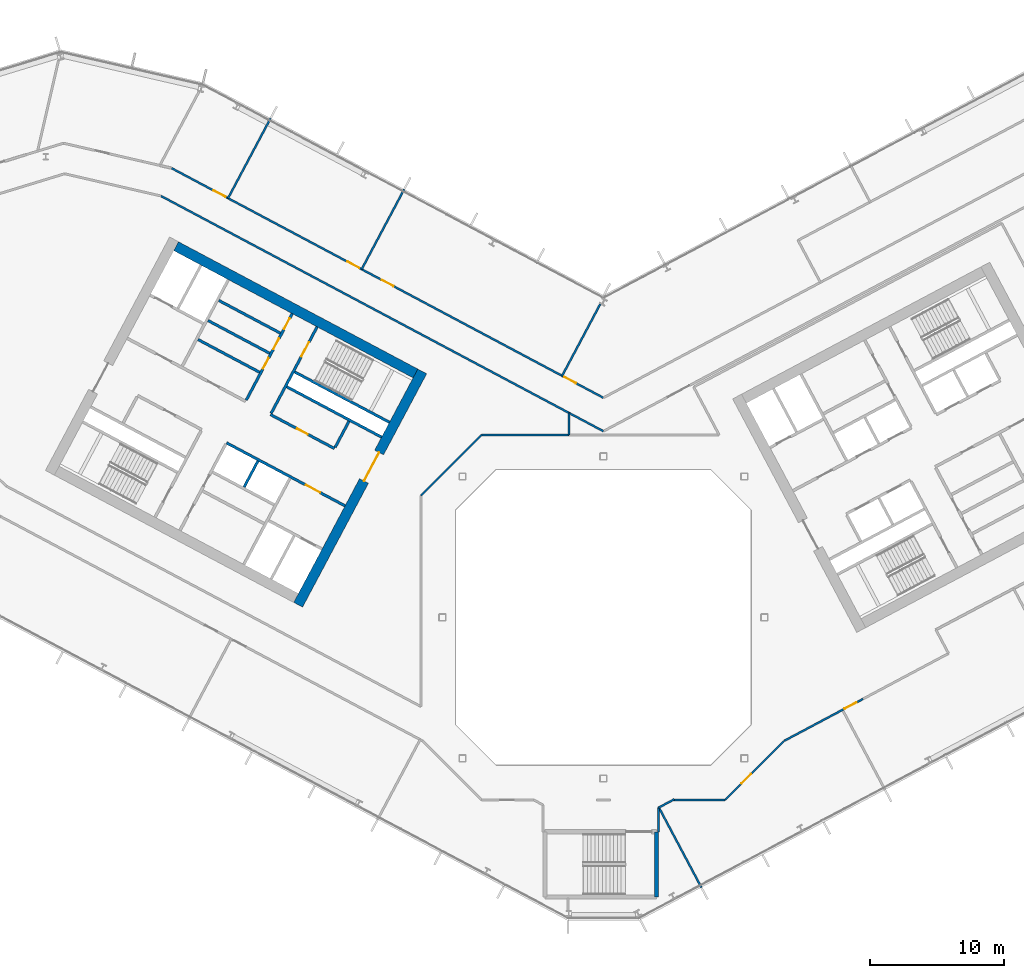
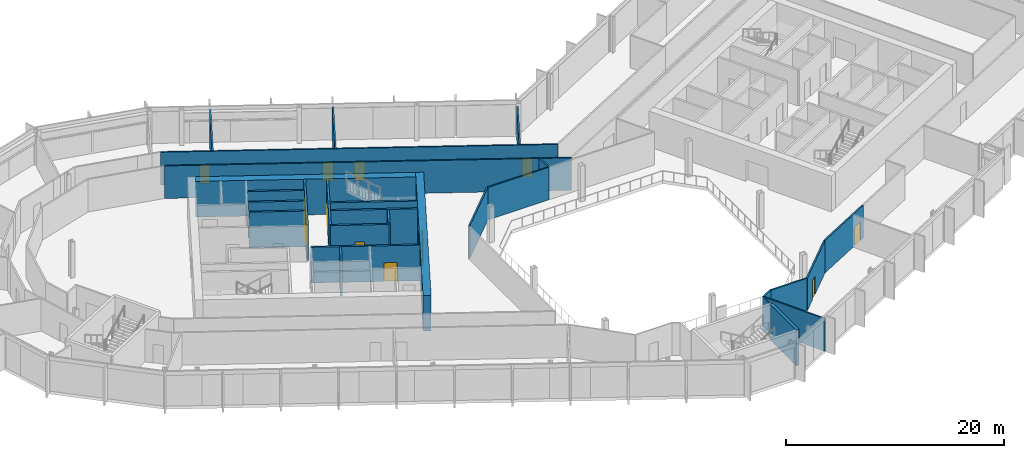
# One storey, part 15 of 28: 29 walls, 13 doors, 13 openings.
"""IFC4 building model written with IfcOpenShell, lengths in metres."""

from ifc_helpers import new_model, si_unit, direction, frame, frame_2d, origin, place, context, subcontext, project, spatial, rectangle, extrude, material, layer, layer_set, type_object, element, fill, save


model = new_model("IFC4")

# Units and contexts
model_context = context("Model", 3, precision=1e-05, world=origin(), true_north=direction((0.0, 1.0)))
body_context = subcontext(model_context, "Body", "Model", "MODEL_VIEW")
ifc_project = project(units=[si_unit("LENGTHUNIT", "METRE"), si_unit("AREAUNIT", "SQUARE_METRE"), si_unit("VOLUMEUNIT", "CUBIC_METRE"), si_unit("PLANEANGLEUNIT", "RADIAN"), si_unit("MASSUNIT", "GRAM", prefix="KILO")], contexts=[model_context])

# Site, building, storey
site_placement = place(None, origin())
site = spatial("IfcSite", under=ifc_project, at=site_placement, CompositionType="ELEMENT")
building_placement = place(site_placement, origin())
building = spatial("IfcBuilding", under=site, at=building_placement, Name="Cormorant Relay Tower", CompositionType="ELEMENT")
storey_placement = place(building_placement, frame((0.0, 0.0, 162.199951171875)))
storey = spatial("IfcBuildingStorey", under=building, at=storey_placement, Name="L34", CompositionType="ELEMENT", Elevation=162.199951171875)

# Walls
ifc_material_1 = material(Name="Concrete 40 MPa", Category="concrete")
ifc_layer_1 = layer(ifc_material_1, 0.199951171875)
ifc_layer_set_1 = layer_set([ifc_layer_1], Name="Core internal wall 200")
wall_type_1 = type_object("IfcWallType", Name="Core internal wall 200", PredefinedType="SOLIDWALL", material=ifc_layer_set_1)
wall_1_placement = place(storey_placement, frame((-25.744140625, 11.64990234375, 0.0), z_axis=(0.0, 0.0, 1.0), x_axis=(-0.469487830541, -0.882938942948, 0.0)))
element("IfcWall", 1, at=wall_1_placement, inside=storey, type_object=wall_type_1, Name="L34 core A shaft and room wall", PredefinedType="SOLIDWALL", context=body_context, shape_type="SweptSolid", body=[
    extrude(rectangle(XDim=2.2001953125, YDim=0.199951171875, at=frame_2d((1.10009765625, 0.0))), origin(), (0.0, 0.0, 1.0), 4.0),
])
for number, where, z_axis, x_axis, name in (
    (2, (-24.073974609375, 21.181396484375, 0.0), (0.0, 0.0, 1.0), (-0.882953967957, 0.469459572775, 0.0), "L34 core A shaft and room wall"),
    (3, (-24.8720703125, 19.680419921875, 0.0), (0.0, 0.0, 1.0), (-0.882953967957, 0.469459572775, 0.0), "L34 core A shaft and room wall"),
):
    element("IfcWall", number, at=place(storey_placement, frame(where, z_axis=z_axis, x_axis=x_axis)), inside=storey, type_object=wall_type_1, Name=name, PredefinedType="SOLIDWALL", context=body_context, shape_type="SweptSolid", body=[
        extrude(rectangle(XDim=5.199951171875, YDim=0.199951171875, at=frame_2d((2.60009765625, 0.0))), origin(), (0.0, 0.0, 1.0), 4.0),
    ])
ifc_material_2 = material(Name="Concrete 50 MPa", Category="concrete")
ifc_layer_2 = layer(ifc_material_2, 0.199951171875)
ifc_layer_set_2 = layer_set([ifc_layer_2], Name="Core shaft wall 200")
wall_type_2 = type_object("IfcWallType", Name="Core shaft wall 200", PredefinedType="SHEAR", material=ifc_layer_set_2)
wall_2_placement = place(storey_placement, frame((-18.959716796875, 14.611328125, 0.0), z_axis=(0.0, 0.0, 1.0), x_axis=(-0.4694473164, -0.882960484464, 0.0)))
element("IfcWall", 4, at=wall_2_placement, inside=storey, type_object=wall_type_2, Name="L34 core A shaft wall", PredefinedType="SHEAR", context=body_context, shape_type="SweptSolid", body=[
    extrude(rectangle(XDim=2.199951171875, YDim=0.199951171875, at=frame_2d((1.10009765625, 0.0))), origin(), (0.0, 0.0, 1.0), 4.0),
])

# Wall, opening, door
wall_3_placement = place(storey_placement, frame((-21.333251953125, 21.6494140625, 0.0), z_axis=(0.0, 0.0, 1.0), x_axis=(-0.469494272526, -0.882935517501, 0.0)))
wall_3 = element("IfcWall", 5, at=wall_3_placement, inside=storey, type_object=wall_type_2, Name="L34 core A shaft wall", PredefinedType="SHEAR", context=body_context, shape_type="SweptSolid", body=[
    extrude(rectangle(XDim=7.2998046875, YDim=0.199951171875, at=frame_2d((3.64990234375, 0.0))), origin(), (0.0, 0.0, 1.0), 4.0),
])
opening_1_placement = place(wall_3_placement, frame((1.300048828125, 0.0, 0.0)))
opening_1 = element("IfcOpeningElement", 6, at=opening_1_placement, cuts=wall_3, Name="Opening CDB-034", PredefinedType="OPENING", context=body_context, shape_type="SweptSolid", body=[
    extrude(rectangle(XDim=1.199951171875, YDim=2.10009765625, at=frame_2d((0.60009765625, 1.050048828125))), frame((0.0, 0.10986328125, 0.0), z_axis=(0.0, -1.0, 0.0), x_axis=(1.0, 0.0, 0.0)), (0.0, 0.0, 1.0), 0.219970703125),
])
ifc_material_3 = material(Name="Steel fire door", Category="steel")
door_type_1 = type_object("IfcDoorType", Name="Core stair door 1200x2100", OperationType="SINGLE_SWING_LEFT", PredefinedType="DOOR", material=ifc_material_3)
door_1_placement = place(opening_1_placement, origin())
door_1 = element("IfcDoor", 7, at=door_1_placement, inside=storey, type_object=door_type_1, Name="Core stair door 1200x2100", OperationType="SINGLE_SWING_RIGHT", OverallHeight=2.10009765625, OverallWidth=1.199951171875, PredefinedType="DOOR", context=body_context, shape_type="SweptSolid", body=[
    extrude(rectangle(XDim=1.199951171875, YDim=2.10009765625, at=frame_2d((0.60009765625, 1.050048828125))), frame((0.0, 0.02490234375, 0.0), z_axis=(0.0, -1.0, 0.0), x_axis=(1.0, 0.0, 0.0)), (0.0, 0.0, 1.0), 0.050048828125),
])
fill(opening_1, door_1)

# Wall, openings, doors
wall_4_placement = place(storey_placement, frame((-23.1875, 22.635498046875, 0.0), z_axis=(0.0, 0.0, 1.0), x_axis=(-0.469454336211, -0.882956752176, 0.0)))
wall_4 = element("IfcWall", 8, at=wall_4_placement, inside=storey, type_object=wall_type_2, Name="L34 core A shaft wall", PredefinedType="SHEAR", context=body_context, shape_type="SweptSolid", body=[
    extrude(rectangle(XDim=7.300048828125, YDim=0.199951171875, at=frame_2d((3.64990234375, 0.0))), origin(), (0.0, 0.0, 1.0), 4.0),
])
opening_2_placement = place(wall_4_placement, frame((0.39990234375, 0.0, 0.0)))
opening_2 = element("IfcOpeningElement", 9, at=opening_2_placement, cuts=wall_4, Name="Opening CDD-174", PredefinedType="OPENING", context=body_context, shape_type="SweptSolid", body=[
    extrude(rectangle(XDim=0.89990234375, YDim=2.10009765625, at=frame_2d((0.449951171875, 1.050048828125))), frame((0.0, 0.10986328125, 0.0), z_axis=(0.0, -1.0, 0.0), x_axis=(1.0, 0.0, 0.0)), (0.0, 0.0, 1.0), 0.219970703125),
])
opening_3_placement = place(wall_4_placement, frame((2.10009765625, 0.0, 0.0)))
opening_3 = element("IfcOpeningElement", 10, at=opening_3_placement, cuts=wall_4, Name="Opening CDD-175", PredefinedType="OPENING", context=body_context, shape_type="SweptSolid", body=[
    extrude(rectangle(XDim=0.89990234375, YDim=2.10009765625, at=frame_2d((0.449951171875, 1.050048828125))), frame((0.0, 0.10986328125, 0.0), z_axis=(0.0, -1.0, 0.0), x_axis=(1.0, 0.0, 0.0)), (0.0, 0.0, 1.0), 0.219970703125),
])
opening_4_placement = place(wall_4_placement, frame((3.75, 0.0, 0.0)))
opening_4 = element("IfcOpeningElement", 11, at=opening_4_placement, cuts=wall_4, Name="Opening CDD-176", PredefinedType="OPENING", context=body_context, shape_type="SweptSolid", body=[
    extrude(rectangle(XDim=0.89990234375, YDim=2.10009765625, at=frame_2d((0.449951171875, 1.050048828125))), frame((0.0, 0.10986328125, 0.0), z_axis=(0.0, -1.0, 0.0), x_axis=(1.0, 0.0, 0.0)), (0.0, 0.0, 1.0), 0.219970703125),
])
ifc_material_4 = material(Name="Steel fire door", Category="steel")
door_type_2 = type_object("IfcDoorType", Name="Core room door 900x2100", OperationType="SINGLE_SWING_LEFT", PredefinedType="DOOR", material=ifc_material_4)
door_2_placement = place(opening_2_placement, origin())
door_2 = element("IfcDoor", 12, at=door_2_placement, inside=storey, type_object=door_type_2, Name="Core room door 900x2100", OperationType="SINGLE_SWING_LEFT", OverallHeight=2.10009765625, OverallWidth=0.89990234375, PredefinedType="DOOR", context=body_context, shape_type="SweptSolid", body=[
    extrude(rectangle(XDim=0.89990234375, YDim=2.10009765625, at=frame_2d((0.449951171875, 1.050048828125))), frame((0.0, 0.02490234375, 0.0), z_axis=(0.0, -1.0, 0.0), x_axis=(1.0, 0.0, 0.0)), (0.0, 0.0, 1.0), 0.050048828125),
])
fill(opening_2, door_2)
door_3_placement = place(opening_3_placement, origin())
door_3 = element("IfcDoor", 13, at=door_3_placement, inside=storey, type_object=door_type_2, Name="Core room door 900x2100", OperationType="SINGLE_SWING_LEFT", OverallHeight=2.10009765625, OverallWidth=0.89990234375, PredefinedType="DOOR", context=body_context, shape_type="SweptSolid", body=[
    extrude(rectangle(XDim=0.89990234375, YDim=2.10009765625, at=frame_2d((0.449951171875, 1.050048828125))), frame((0.0, 0.02490234375, 0.0), z_axis=(0.0, -1.0, 0.0), x_axis=(1.0, 0.0, 0.0)), (0.0, 0.0, 1.0), 0.050048828125),
])
fill(opening_3, door_3)
door_4_placement = place(opening_4_placement, origin())
door_4 = element("IfcDoor", 14, at=door_4_placement, inside=storey, type_object=door_type_2, Name="Core room door 900x2100", OperationType="SINGLE_SWING_LEFT", OverallHeight=2.10009765625, OverallWidth=0.89990234375, PredefinedType="DOOR", context=body_context, shape_type="SweptSolid", body=[
    extrude(rectangle(XDim=0.89990234375, YDim=2.10009765625, at=frame_2d((0.449951171875, 1.050048828125))), frame((0.0, 0.02490234375, 0.0), z_axis=(0.0, -1.0, 0.0), x_axis=(1.0, 0.0, 0.0)), (0.0, 0.0, 1.0), 0.050048828125),
])
fill(opening_4, door_4)

# Walls
wall_5_placement = place(storey_placement, frame((-15.94189453125, 14.53564453125, 0.0), z_axis=(0.0, 0.0, 1.0), x_axis=(-0.882946947542, 0.469472776449, 0.0)))
element("IfcWall", 15, at=wall_5_placement, inside=storey, type_object=wall_type_2, Name="L34 core A shaft wall", PredefinedType="SHEAR", context=body_context, shape_type="SweptSolid", body=[
    extrude(rectangle(XDim=8.000244140625, YDim=0.199951171875, at=frame_2d((4.0, 0.0))), origin(), (0.0, 0.0, 1.0), 4.0),
])
wall_6_placement = place(storey_placement, frame((-16.52880859375, 13.43212890625, 0.0), z_axis=(0.0, 0.0, 1.0), x_axis=(-0.88295287151, 0.469461634952, 0.0)))
element("IfcWall", 16, at=wall_6_placement, inside=storey, type_object=wall_type_2, Name="L34 core A shaft wall", PredefinedType="SHEAR", context=body_context, shape_type="SweptSolid", body=[
    extrude(rectangle(XDim=7.999755859375, YDim=0.199951171875, at=frame_2d((4.0, 0.0))), origin(), (0.0, 0.0, 1.0), 4.0),
])
wall_7_placement = place(storey_placement, frame((-25.623046875, 18.267578125, 0.0), z_axis=(0.0, 0.0, 1.0), x_axis=(-0.882953967957, 0.469459572775, 0.0)))
element("IfcWall", 17, at=wall_7_placement, inside=storey, type_object=wall_type_2, Name="L34 core A shaft wall", PredefinedType="SHEAR", context=body_context, shape_type="SweptSolid", body=[
    extrude(rectangle(XDim=5.199951171875, YDim=0.199951171875, at=frame_2d((2.60009765625, 0.0))), origin(), (0.0, 0.0, 1.0), 4.0),
])

# Wall, opening, door
wall_8_placement = place(storey_placement, frame((-20.03955078125, 12.58056640625, 0.0), z_axis=(0.0, 0.0, 1.0), x_axis=(-0.882942972946, 0.469480251476, 0.0)))
wall_8 = element("IfcWall", 18, at=wall_8_placement, inside=storey, type_object=wall_type_2, Name="L34 core A shaft wall", PredefinedType="SHEAR", context=body_context, shape_type="SweptSolid", body=[
    extrude(rectangle(XDim=5.39990234375, YDim=0.199951171875, at=frame_2d((2.699951171875, 0.0))), origin(), (0.0, 0.0, 1.0), 4.0),
])
opening_5_placement = place(wall_8_placement, frame((2.25, 0.0, 0.0)))
opening_5 = element("IfcOpeningElement", 19, at=opening_5_placement, cuts=wall_8, Name="Opening CDD-206", PredefinedType="OPENING", context=body_context, shape_type="SweptSolid", body=[
    extrude(rectangle(XDim=0.89990234375, YDim=2.10009765625, at=frame_2d((0.449951171875, 1.050048828125))), frame((0.0, 0.10986328125, 0.0), z_axis=(0.0, -1.0, 0.0), x_axis=(1.0, 0.0, 0.0)), (0.0, 0.0, 1.0), 0.219970703125),
])
door_5_placement = place(opening_5_placement, origin())
door_5 = element("IfcDoor", 20, at=door_5_placement, inside=storey, type_object=door_type_2, Name="Core room door 900x2100", OperationType="SINGLE_SWING_LEFT", OverallHeight=2.10009765625, OverallWidth=0.89990234375, PredefinedType="DOOR", context=body_context, shape_type="SweptSolid", body=[
    extrude(rectangle(XDim=0.89990234375, YDim=2.10009765625, at=frame_2d((0.449951171875, 1.050048828125))), frame((0.0, 0.02490234375, 0.0), z_axis=(0.0, -1.0, 0.0), x_axis=(1.0, 0.0, 0.0)), (0.0, 0.0, 1.0), 0.050048828125),
])
fill(opening_5, door_5)

wall_9_placement = place(storey_placement, frame((-19.251708984375, 8.31103515625, 0.0), z_axis=(0.0, 0.0, 1.0), x_axis=(-0.882955722218, 0.469456273365, 0.0)))
wall_9 = element("IfcWall", 21, at=wall_9_placement, inside=storey, type_object=wall_type_2, Name="L34 core A shaft wall", PredefinedType="SHEAR", context=body_context, shape_type="SweptSolid", body=[
    extrude(rectangle(XDim=10.0, YDim=0.199951171875, at=frame_2d((5.0, 0.0))), origin(), (0.0, 0.0, 1.0), 4.0),
])
opening_6_placement = place(wall_9_placement, frame((2.10009765625, 0.0, 0.0)))
opening_6 = element("IfcOpeningElement", 22, at=opening_6_placement, cuts=wall_9, Name="Opening CDC-025", PredefinedType="OPENING", context=body_context, shape_type="SweptSolid", body=[
    extrude(rectangle(XDim=1.199951171875, YDim=2.10009765625, at=frame_2d((0.60009765625, 1.050048828125))), frame((0.0, 0.10986328125, 0.0), z_axis=(0.0, -1.0, 0.0), x_axis=(1.0, 0.0, 0.0)), (0.0, 0.0, 1.0), 0.219970703125),
])
ifc_material_5 = material(Name="Steel fire door", Category="steel")
door_type_3 = type_object("IfcDoorType", Name="Core lobby door 1200x2100", OperationType="SINGLE_SWING_LEFT", PredefinedType="DOOR", material=ifc_material_5)
door_6_placement = place(opening_6_placement, origin())
door_6 = element("IfcDoor", 23, at=door_6_placement, inside=storey, type_object=door_type_3, Name="Core lobby door 1200x2100", OperationType="SINGLE_SWING_RIGHT", OverallHeight=2.10009765625, OverallWidth=1.199951171875, PredefinedType="DOOR", context=body_context, shape_type="SweptSolid", body=[
    extrude(rectangle(XDim=1.199951171875, YDim=2.10009765625, at=frame_2d((0.60009765625, 1.050048828125))), frame((0.0, 0.02490234375, 0.0), z_axis=(0.0, -1.0, 0.0), x_axis=(1.0, 0.0, 0.0)), (0.0, 0.0, 1.0), 0.050048828125),
])
fill(opening_6, door_6)

ifc_material_6 = material(Name="Concrete 60 MPa", Category="concrete")
ifc_layer_3 = layer(ifc_material_6, 0.75)
ifc_layer_set_3 = layer_set([ifc_layer_3], Name="Core wall 750")
wall_type_3 = type_object("IfcWallType", Name="Core wall 750", PredefinedType="SHEAR", material=ifc_layer_set_3)
wall_10_placement = place(storey_placement, frame((-13.498291015625, 18.3330078125, 0.0), z_axis=(0.0, 0.0, 1.0), x_axis=(-0.469469918705, -0.88294846703, 0.0)))
wall_10 = element("IfcWall", 24, at=wall_10_placement, inside=storey, type_object=wall_type_3, Name="L34 core A wall", PredefinedType="SHEAR", context=body_context, shape_type="SweptSolid", body=[
    extrude(rectangle(XDim=19.699951171875, YDim=0.75, at=frame_2d((9.85009765625, 0.0))), origin(), (0.0, 0.0, 1.0), 4.0),
])
opening_7_placement = place(wall_10_placement, frame((6.85009765625, 0.0, 0.0)))
opening_7 = element("IfcOpeningElement", 25, at=opening_7_placement, cuts=wall_10, Name="Opening CDA-026", PredefinedType="OPENING", context=body_context, shape_type="SweptSolid", body=[
    extrude(rectangle(XDim=2.39990234375, YDim=2.39990234375, at=frame_2d((1.199951171875, 1.199951171875))), frame((0.0, 0.385009765625, 0.0), z_axis=(0.0, -1.0, 0.0), x_axis=(1.0, 0.0, 0.0)), (0.0, 0.0, 1.0), 0.77001953125),
])
ifc_material_7 = material(Name="Steel fire door", Category="steel")
door_type_4 = type_object("IfcDoorType", Name="Core lobby door 2400x2400", OperationType="DOUBLE_DOOR_SINGLE_SWING", PredefinedType="DOOR", material=ifc_material_7)
door_7_placement = place(opening_7_placement, origin())
door_7 = element("IfcDoor", 26, at=door_7_placement, inside=storey, type_object=door_type_4, Name="Core lobby door 2400x2400", OperationType="DOUBLE_DOOR_SINGLE_SWING", OverallHeight=2.39990234375, OverallWidth=2.39990234375, PredefinedType="DOOR", context=body_context, shape_type="SweptSolid", body=[
    extrude(rectangle(XDim=2.39990234375, YDim=2.39990234375, at=frame_2d((1.199951171875, 1.199951171875))), frame((0.0, 0.02490234375, 0.0), z_axis=(0.0, -1.0, 0.0), x_axis=(1.0, 0.0, 0.0)), (0.0, 0.0, 1.0), 0.050048828125),
])
fill(opening_7, door_7)

# Walls
wall_11_placement = place(storey_placement, frame((-14.00537109375, 18.177978515625, 0.0), z_axis=(0.0, 0.0, 1.0), x_axis=(-0.88295010195, 0.469466843842, 0.0)))
element("IfcWall", 27, at=wall_11_placement, inside=storey, type_object=wall_type_3, Name="L34 core A wall", PredefinedType="SHEAR", context=body_context, shape_type="SweptSolid", body=[
    extrude(rectangle(XDim=20.199951171875, YDim=0.75, at=frame_2d((10.10009765625, 0.0))), origin(), (0.0, 0.0, 1.0), 4.0),
])
ifc_material_8 = material(Name="Gypsum board fire partition")
ifc_layer_4 = layer(ifc_material_8, 0.14990234375)
ifc_layer_set_4 = layer_set([ifc_layer_4], Name="Corridor partition 150 EI 60")
wall_type_4 = type_object("IfcWallType", Name="Corridor partition 150 EI 60", PredefinedType="PARTITIONING", material=ifc_layer_set_4)
wall_12_placement = place(storey_placement, frame((-32.964111328125, 31.402099609375, 0.0), z_axis=(0.0, 0.0, 1.0), x_axis=(0.88293807027, -0.469489471733, 0.0)))
element("IfcWall", 28, at=wall_12_placement, inside=storey, type_object=wall_type_4, Name="wall/L34/part/023", PredefinedType="PARTITIONING", context=body_context, shape_type="SweptSolid", body=[
    extrude(rectangle(XDim=34.4248046875, YDim=0.14990234375, at=frame_2d((17.21240234375, 0.0))), origin(), (0.0, 0.0, 1.0), 3.64013671875),
])
wall_13_placement = place(storey_placement, frame((-2.570068359375, 13.60009765625, 0.0), z_axis=(0.0, 0.0, 1.0), x_axis=(-1.0, 0.0, 0.0)))
element("IfcWall", 29, at=wall_13_placement, inside=storey, type_object=wall_type_4, Name="wall/L34/part/026", PredefinedType="PARTITIONING", context=body_context, shape_type="SweptSolid", body=[
    extrude(rectangle(XDim=6.5068359375, YDim=0.14990234375, at=frame_2d((3.25341796875, 0.0))), origin(), (0.0, 0.0, 1.0), 3.64013671875),
])
wall_14_placement = place(storey_placement, frame((-9.076904296875, 13.60009765625, 0.0), z_axis=(0.0, 0.0, 1.0), x_axis=(-0.707106781187, -0.707106781187, 0.0)))
element("IfcWall", 30, at=wall_14_placement, inside=storey, type_object=wall_type_4, Name="wall/L34/part/027", PredefinedType="PARTITIONING", context=body_context, shape_type="SweptSolid", body=[
    extrude(rectangle(XDim=6.396728515625, YDim=0.14990234375, at=frame_2d((3.1982421875, 0.0))), origin(), (0.0, 0.0, 1.0), 3.64013671875),
])

# Wall, openings, doors
wall_15_placement = place(storey_placement, frame((-32.18701171875, 33.47998046875, 0.0), z_axis=(0.0, 0.0, 1.0), x_axis=(0.88294900327, -0.469468910179, 0.0)))
wall_15 = element("IfcWall", 31, at=wall_15_placement, inside=storey, type_object=wall_type_4, Name="wall/L34/part/039", PredefinedType="PARTITIONING", context=body_context, shape_type="SweptSolid", body=[
    extrude(rectangle(XDim=36.4541015625, YDim=0.14990234375, at=frame_2d((18.22705078125, 0.0))), origin(), (0.0, 0.0, 1.0), 3.64013671875),
])
opening_8_placement = place(wall_15_placement, frame((33.14990234375, 0.0, 0.0)))
opening_8 = element("IfcOpeningElement", 32, at=opening_8_placement, cuts=wall_15, Name="Opening DS-050", PredefinedType="OPENING", context=body_context, shape_type="SweptSolid", body=[
    extrude(rectangle(XDim=1.0, YDim=2.10009765625, at=frame_2d((0.5, 1.050048828125))), frame((0.0, 0.0849609375, 0.0), z_axis=(0.0, -1.0, 0.0), x_axis=(1.0, 0.0, 0.0)), (0.0, 0.0, 1.0), 0.169921875),
])
opening_9_placement = place(wall_15_placement, frame((17.75, 0.0, 0.0)))
opening_9 = element("IfcOpeningElement", 33, at=opening_9_placement, cuts=wall_15, Name="Opening DS-051", PredefinedType="OPENING", context=body_context, shape_type="SweptSolid", body=[
    extrude(rectangle(XDim=1.0, YDim=2.10009765625, at=frame_2d((0.5, 1.050048828125))), frame((0.0, 0.0849609375, 0.0), z_axis=(0.0, -1.0, 0.0), x_axis=(1.0, 0.0, 0.0)), (0.0, 0.0, 1.0), 0.169921875),
])
opening_10_placement = place(wall_15_placement, frame((14.85009765625, 0.0, 0.0)))
opening_10 = element("IfcOpeningElement", 34, at=opening_10_placement, cuts=wall_15, Name="Opening DS-052", PredefinedType="OPENING", context=body_context, shape_type="SweptSolid", body=[
    extrude(rectangle(XDim=1.0, YDim=2.10009765625, at=frame_2d((0.5, 1.050048828125))), frame((0.0, 0.0849609375, 0.0), z_axis=(0.0, -1.0, 0.0), x_axis=(1.0, 0.0, 0.0)), (0.0, 0.0, 1.0), 0.169921875),
])
opening_11_placement = place(wall_15_placement, frame((3.550048828125, 0.0, 0.0)))
opening_11 = element("IfcOpeningElement", 35, at=opening_11_placement, cuts=wall_15, Name="Opening DS-053", PredefinedType="OPENING", context=body_context, shape_type="SweptSolid", body=[
    extrude(rectangle(XDim=1.0, YDim=2.10009765625, at=frame_2d((0.5, 1.050048828125))), frame((0.0, 0.0849609375, 0.0), z_axis=(0.0, -1.0, 0.0), x_axis=(1.0, 0.0, 0.0)), (0.0, 0.0, 1.0), 0.169921875),
])
ifc_material_9 = material(Name="Timber door leaf", Category="wood")
door_type_5 = type_object("IfcDoorType", Name="Suite door 1000x2100", OperationType="SINGLE_SWING_LEFT", PredefinedType="DOOR", material=ifc_material_9)
door_8_placement = place(opening_8_placement, origin())
door_8 = element("IfcDoor", 36, at=door_8_placement, inside=storey, type_object=door_type_5, Name="door/L34/008", OperationType="SINGLE_SWING_LEFT", OverallHeight=2.10009765625, OverallWidth=1.0, PredefinedType="DOOR", context=body_context, shape_type="SweptSolid", body=[
    extrude(rectangle(XDim=1.0, YDim=2.10009765625, at=frame_2d((0.5, 1.050048828125))), frame((0.0, 0.02490234375, 0.0), z_axis=(0.0, -1.0, 0.0), x_axis=(1.0, 0.0, 0.0)), (0.0, 0.0, 1.0), 0.050048828125),
])
fill(opening_8, door_8)
door_9_placement = place(opening_9_placement, origin())
door_9 = element("IfcDoor", 37, at=door_9_placement, inside=storey, type_object=door_type_5, Name="door/L34/009", OperationType="SINGLE_SWING_RIGHT", OverallHeight=2.10009765625, OverallWidth=1.0, PredefinedType="DOOR", context=body_context, shape_type="SweptSolid", body=[
    extrude(rectangle(XDim=1.0, YDim=2.10009765625, at=frame_2d((0.5, 1.050048828125))), frame((0.0, 0.02490234375, 0.0), z_axis=(0.0, -1.0, 0.0), x_axis=(1.0, 0.0, 0.0)), (0.0, 0.0, 1.0), 0.050048828125),
])
fill(opening_9, door_9)
door_10_placement = place(opening_10_placement, origin())
door_10 = element("IfcDoor", 38, at=door_10_placement, inside=storey, type_object=door_type_5, Name="door/L34/010", OperationType="SINGLE_SWING_RIGHT", OverallHeight=2.10009765625, OverallWidth=1.0, PredefinedType="DOOR", context=body_context, shape_type="SweptSolid", body=[
    extrude(rectangle(XDim=1.0, YDim=2.10009765625, at=frame_2d((0.5, 1.050048828125))), frame((0.0, 0.02490234375, 0.0), z_axis=(0.0, -1.0, 0.0), x_axis=(1.0, 0.0, 0.0)), (0.0, 0.0, 1.0), 0.050048828125),
])
fill(opening_10, door_10)
door_11_placement = place(opening_11_placement, origin())
door_11 = element("IfcDoor", 39, at=door_11_placement, inside=storey, type_object=door_type_5, Name="door/L34/011", OperationType="SINGLE_SWING_RIGHT", OverallHeight=2.10009765625, OverallWidth=1.0, PredefinedType="DOOR", context=body_context, shape_type="SweptSolid", body=[
    extrude(rectangle(XDim=1.0, YDim=2.10009765625, at=frame_2d((0.5, 1.050048828125))), frame((0.0, 0.02490234375, 0.0), z_axis=(0.0, -1.0, 0.0), x_axis=(1.0, 0.0, 0.0)), (0.0, 0.0, 1.0), 0.050048828125),
])
fill(opening_11, door_11)

# Walls
wall_16_placement = place(storey_placement, frame((-2.569091796875, 15.239990234375, 0.0), z_axis=(0.0, 0.0, 1.0), x_axis=(0.882953795959, -0.469459896265, 0.0)))
element("IfcWall", 40, at=wall_16_placement, inside=storey, type_object=wall_type_4, Name="wall/L34/part/050", PredefinedType="PARTITIONING", context=body_context, shape_type="SweptSolid", body=[
    extrude(rectangle(XDim=2.90966796875, YDim=0.14990234375, at=frame_2d((1.454833984375, 0.0))), origin(), (0.0, 0.0, 1.0), 3.64013671875),
])
wall_17_placement = place(storey_placement, frame((5.283935546875, -13.555908203125, 0.0), z_axis=(0.0, 0.0, 1.0), x_axis=(-0.882740669896, -0.469860521551, 0.0)))
element("IfcWall", 41, at=wall_17_placement, inside=storey, type_object=wall_type_4, Name="wall/L34/part/059", PredefinedType="PARTITIONING", context=body_context, shape_type="SweptSolid", body=[
    extrude(rectangle(XDim=1.341064453125, YDim=0.14990234375, at=frame_2d((0.67041015625, 0.0))), origin(), (0.0, 0.0, 1.0), 3.64013671875),
])
wall_18_placement = place(storey_placement, frame((4.10009765625, -14.18603515625, 0.0), z_axis=(0.0, 0.0, 1.0), x_axis=(0.0, -1.0, 0.0)))
element("IfcWall", 42, at=wall_18_placement, inside=storey, type_object=wall_type_4, Name="wall/L34/part/060", PredefinedType="PARTITIONING", context=body_context, shape_type="SweptSolid", body=[
    extrude(rectangle(XDim=1.7890625, YDim=0.14990234375, at=frame_2d((0.89453125, 0.0))), origin(), (0.0, 0.0, 1.0), 3.64013671875),
])

# Wall, opening, door
wall_19_placement = place(storey_placement, frame((13.46142578125, -9.215576171875, 0.0), z_axis=(0.0, 0.0, 1.0), x_axis=(-0.707106781187, -0.707106781187, 0.0)))
wall_19 = element("IfcWall", 43, at=wall_19_placement, inside=storey, type_object=wall_type_4, Name="wall/L34/part/061", PredefinedType="PARTITIONING", context=body_context, shape_type="SweptSolid", body=[
    extrude(rectangle(XDim=6.20068359375, YDim=0.14990234375, at=frame_2d((3.100341796875, 0.0))), origin(), (0.0, 0.0, 1.0), 3.64013671875),
])
opening_12_placement = place(wall_19_placement, frame((3.496826171875, 0.0, 0.0)))
opening_12 = element("IfcOpeningElement", 44, at=opening_12_placement, cuts=wall_19, Name="Opening DS-045", PredefinedType="OPENING", context=body_context, shape_type="SweptSolid", body=[
    extrude(rectangle(XDim=1.0, YDim=2.10009765625, at=frame_2d((0.5, 1.050048828125))), frame((0.0, 0.0849609375, 0.0), z_axis=(0.0, -1.0, 0.0), x_axis=(1.0, 0.0, 0.0)), (0.0, 0.0, 1.0), 0.169921875),
])
door_12_placement = place(opening_12_placement, origin())
door_12 = element("IfcDoor", 45, at=door_12_placement, inside=storey, type_object=door_type_5, Name="door/L34/003", OperationType="SINGLE_SWING_LEFT", OverallHeight=2.10009765625, OverallWidth=1.0, PredefinedType="DOOR", context=body_context, shape_type="SweptSolid", body=[
    extrude(rectangle(XDim=1.0, YDim=2.10009765625, at=frame_2d((0.5, 1.050048828125))), frame((0.0, 0.02490234375, 0.0), z_axis=(0.0, -1.0, 0.0), x_axis=(1.0, 0.0, 0.0)), (0.0, 0.0, 1.0), 0.050048828125),
])
fill(opening_12, door_12)

# Wall
wall_20_placement = place(storey_placement, frame((9.076904296875, -13.60009765625, 0.0), z_axis=(0.0, 0.0, 1.0), x_axis=(-1.0, 0.0, 0.0)))
element("IfcWall", 46, at=wall_20_placement, inside=storey, type_object=wall_type_4, Name="wall/L34/part/062", PredefinedType="PARTITIONING", context=body_context, shape_type="SweptSolid", body=[
    extrude(rectangle(XDim=3.8369140625, YDim=0.14990234375, at=frame_2d((1.91845703125, 0.0))), origin(), (0.0, 0.0, 1.0), 3.64013671875),
])

# Wall, opening, door
wall_21_placement = place(storey_placement, frame((19.343994140625, -6.080078125, 0.0), z_axis=(0.0, 0.0, 1.0), x_axis=(-0.882924889458, -0.469514259181, 0.0)))
wall_21 = element("IfcWall", 47, at=wall_21_placement, inside=storey, type_object=wall_type_4, Name="wall/L34/part/065", PredefinedType="PARTITIONING", context=body_context, shape_type="SweptSolid", body=[
    extrude(rectangle(XDim=6.644775390625, YDim=0.14990234375, at=frame_2d((3.322265625, 0.0))), origin(), (0.0, 0.0, 1.0), 3.64013671875),
])
opening_13_placement = place(wall_21_placement, frame((0.550048828125, 0.0, 0.0)))
opening_13 = element("IfcOpeningElement", 48, at=opening_13_placement, cuts=wall_21, Name="Opening DS-046", PredefinedType="OPENING", context=body_context, shape_type="SweptSolid", body=[
    extrude(rectangle(XDim=1.0, YDim=2.10009765625, at=frame_2d((0.5, 1.050048828125))), frame((0.0, 0.0849609375, 0.0), z_axis=(0.0, -1.0, 0.0), x_axis=(1.0, 0.0, 0.0)), (0.0, 0.0, 1.0), 0.169921875),
])
door_13_placement = place(opening_13_placement, origin())
door_13 = element("IfcDoor", 49, at=door_13_placement, inside=storey, type_object=door_type_5, Name="door/L34/004", OperationType="SINGLE_SWING_RIGHT", OverallHeight=2.10009765625, OverallWidth=1.0, PredefinedType="DOOR", context=body_context, shape_type="SweptSolid", body=[
    extrude(rectangle(XDim=1.0, YDim=2.10009765625, at=frame_2d((0.5, 1.050048828125))), frame((0.0, 0.02490234375, 0.0), z_axis=(0.0, -1.0, 0.0), x_axis=(1.0, 0.0, 0.0)), (0.0, 0.0, 1.0), 0.050048828125),
])
fill(opening_13, door_13)

# Walls
ifc_material_10 = material(Name="Concrete 50 MPa", Category="concrete")
ifc_layer_5 = layer(ifc_material_10, 0.300048828125)
ifc_layer_set_5 = layer_set([ifc_layer_5], Name="Remote stair wall 300")
wall_type_5 = type_object("IfcWallType", Name="Remote stair wall 300", PredefinedType="SHEAR", material=ifc_layer_set_5)
wall_22_placement = place(storey_placement, frame((3.949951171875, -15.97509765625, 0.0), z_axis=(0.0, 0.0, 1.0), x_axis=(0.0, -1.0, 0.0)))
element("IfcWall", 50, at=wall_22_placement, inside=storey, type_object=wall_type_5, Name="L34 exit stair RK1 wall", PredefinedType="SHEAR", context=body_context, shape_type="SweptSolid", body=[
    extrude(rectangle(XDim=4.849853515625, YDim=0.300048828125, at=frame_2d((2.4248046875, 0.0))), origin(), (0.0, 0.0, 1.0), 4.0),
])
ifc_material_11 = material(Name="Gypsum board partition")
ifc_layer_6 = layer(ifc_material_11, 0.14990234375)
ifc_layer_set_6 = layer_set([ifc_layer_6], Name="Tenant partition 150")
wall_type_6 = type_object("IfcWallType", Name="Tenant partition 150", PredefinedType="PARTITIONING", material=ifc_layer_set_6)
wall_23_placement = place(storey_placement, frame((-24.800048828125, 37.197021484375, 0.0), z_axis=(0.0, 0.0, 1.0), x_axis=(-0.469581783496, -0.882888978643, 0.0)))
element("IfcWall", 51, at=wall_23_placement, inside=storey, type_object=wall_type_6, Name="wall/L34/part/041", PredefinedType="PARTITIONING", context=body_context, shape_type="SweptSolid", body=[
    extrude(rectangle(XDim=6.75048828125, YDim=0.14990234375, at=frame_2d((3.375244140625, 0.0))), origin(), (0.0, 0.0, 1.0), 3.64013671875),
])
wall_24_placement = place(storey_placement, frame((-14.843994140625, 31.903076171875, 0.0), z_axis=(0.0, 0.0, 1.0), x_axis=(-0.469356207225, -0.883008918833, 0.0)))
element("IfcWall", 52, at=wall_24_placement, inside=storey, type_object=wall_type_6, Name="wall/L34/part/043", PredefinedType="PARTITIONING", context=body_context, shape_type="SweptSolid", body=[
    extrude(rectangle(XDim=6.74951171875, YDim=0.14990234375, at=frame_2d((3.374755859375, 0.0))), origin(), (0.0, 0.0, 1.0), 3.64013671875),
])
wall_25_placement = place(storey_placement, frame((-0.22412109375, 23.364013671875, 0.0), z_axis=(0.0, 0.0, 1.0), x_axis=(-0.46937563441, -0.882998592197, 0.0)))
element("IfcWall", 53, at=wall_25_placement, inside=storey, type_object=wall_type_6, Name="wall/L34/part/044", PredefinedType="PARTITIONING", context=body_context, shape_type="SweptSolid", body=[
    extrude(rectangle(XDim=6.07373046875, YDim=0.14990234375, at=frame_2d((3.036865234375, 0.0))), origin(), (0.0, 0.0, 1.0), 3.64013671875),
])
wall_26_placement = place(storey_placement, frame((-2.569091796875, 15.239990234375, 0.0), z_axis=(0.0, 0.0, 1.0), x_axis=(-0.00059550384, -0.999999822688, 0.0)))
element("IfcWall", 54, at=wall_26_placement, inside=storey, type_object=wall_type_6, Name="wall/L34/part/058", PredefinedType="PARTITIONING", context=body_context, shape_type="SweptSolid", body=[
    extrude(rectangle(XDim=1.639892578125, YDim=0.14990234375, at=frame_2d((0.81982421875, 0.0))), origin(), (0.0, 0.0, 1.0), 3.64013671875),
])
wall_27_placement = place(storey_placement, frame((7.303955078125, -20.126953125, 0.0), z_axis=(0.0, 0.0, 1.0), x_axis=(-0.469356207225, 0.883008918833, 0.0)))
element("IfcWall", 55, at=wall_27_placement, inside=storey, type_object=wall_type_6, Name="wall/L34/part/063", PredefinedType="PARTITIONING", context=body_context, shape_type="SweptSolid", body=[
    extrude(rectangle(XDim=6.74951171875, YDim=0.14990234375, at=frame_2d((3.374755859375, 0.0))), origin(), (0.0, 0.0, 1.0), 3.64013671875),
])

save(model, "model.ifc")
